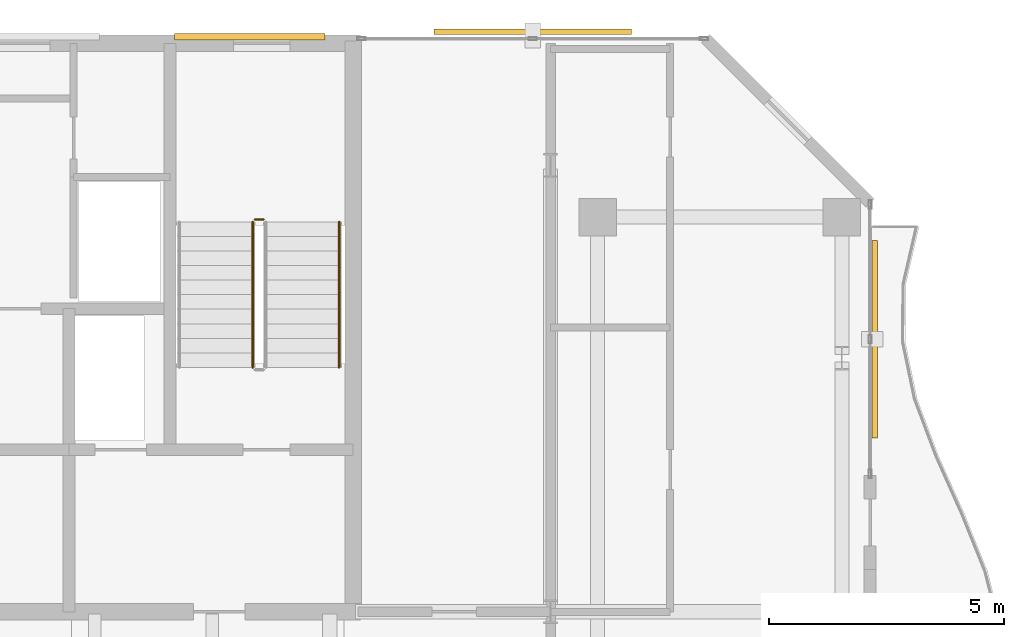
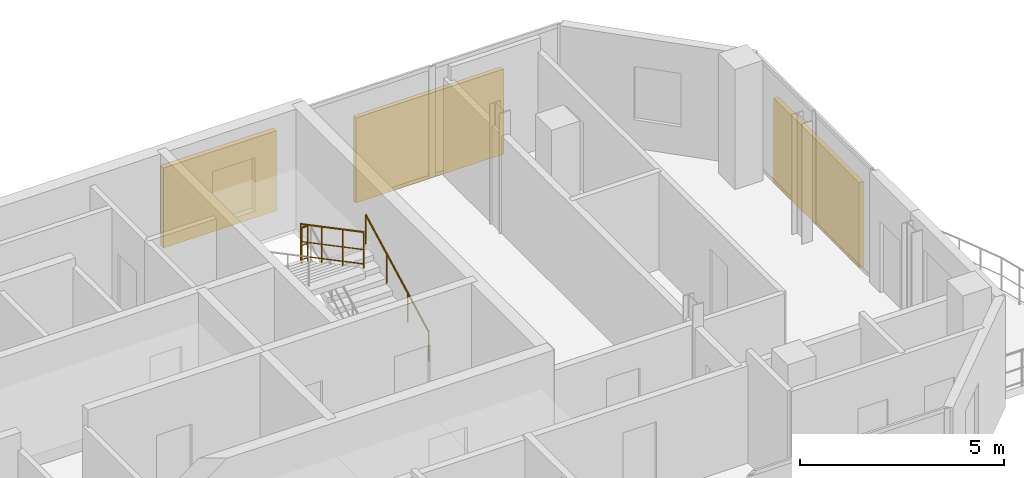
# One storey, part 23 of 23: 3 railings, 3 shading devices.
"""IFC4 building model written with IfcOpenShell, lengths in metres."""

from ifc_helpers import new_model, si_unit, direction, frame, origin, origin_2d, place, context, subcontext, project, spatial, rectangle, circle, extrude, material, type_object, element, save


model = new_model("IFC4")

# Units and contexts
model_context = context("Model", 3, precision=1e-05, world=origin(), true_north=direction((0.0, 1.0)))
body_context = subcontext(model_context, "Body", "Model", "MODEL_VIEW")
ifc_project = project(units=[si_unit("LENGTHUNIT", "METRE"), si_unit("AREAUNIT", "SQUARE_METRE"), si_unit("VOLUMEUNIT", "CUBIC_METRE"), si_unit("PLANEANGLEUNIT", "RADIAN"), si_unit("MASSUNIT", "GRAM", prefix="KILO")], contexts=[model_context])

# Site, building, storey
site_placement = place(None, origin())
site = spatial("IfcSite", under=ifc_project, at=site_placement, CompositionType="ELEMENT")
building_placement = place(site_placement, origin())
building = spatial("IfcBuilding", under=site, at=building_placement, Name="Catumbela Crestline Tower", CompositionType="ELEMENT")
storey_placement = place(building_placement, frame((0.0, 0.0, 190.2)))
storey = spatial("IfcBuildingStorey", under=building, at=storey_placement, Name="L49", CompositionType="ELEMENT", Elevation=190.2)

# Railings
ifc_material_1 = material(Name="Stainless steel EN 1.4401", Category="steel")
railing_type_1 = type_object("IfcRailingType", Name="RG-1100", PredefinedType="GUARDRAIL", material=ifc_material_1)
railing_1_placement = place(storey_placement, frame((38.09, 39.15, 1.8)))
element("IfcRailing", 1, at=railing_1_placement, inside=storey, type_object=railing_type_1, Name="L49 ST-02 stair guard 2", PredefinedType="GUARDRAIL", context=body_context, shape_type="SweptSolid", body=[
    extrude(circle(Radius=0.024, at=origin_2d()), frame((0.0, 0.0, 1.076), z_axis=(-1.0, 0.0, 0.0), x_axis=(0.0, -1.0, 0.0)), (0.0, 0.0, 1.0), 0.18),
    extrude(circle(Radius=0.0156, at=origin_2d()), frame((0.0, 0.0, 0.55), z_axis=(-1.0, 0.0, 0.0), x_axis=(0.0, -1.0, 0.0)), (0.0, 0.0, 1.0), 0.18),
    extrude(circle(Radius=0.0156, at=origin_2d()), frame((0.0, 0.0, 0.12), z_axis=(-1.0, 0.0, 0.0), x_axis=(0.0, -1.0, 0.0)), (0.0, 0.0, 1.0), 0.18),
    extrude(circle(Radius=0.021, at=origin_2d()), origin(), (0.0, 0.0, 1.0), 1.052),
    extrude(circle(Radius=0.021, at=origin_2d()), frame((-0.18, 0.0, 0.0)), (0.0, 0.0, 1.0), 1.052),
])
railing_2_placement = place(storey_placement, frame((37.86, 39.1, 1.9636)))
element("IfcRailing", 2, at=railing_2_placement, inside=storey, type_object=railing_type_1, Name="L49 ST-02 stair guard 3", PredefinedType="GUARDRAIL", context=body_context, shape_type="SweptSolid", body=[
    extrude(circle(Radius=0.024, at=origin_2d()), frame((0.0, 0.0, 1.076), z_axis=(0.0, -0.884350731049, 0.466823076222), x_axis=(1.0, 0.0, 0.0)), (0.0, 0.0, 1.0), 3.5054),
    extrude(circle(Radius=0.0156, at=origin_2d()), frame((0.0, 0.0, 0.55), z_axis=(0.0, -0.884350731049, 0.466823076222), x_axis=(1.0, 0.0, 0.0)), (0.0, 0.0, 1.0), 3.5054),
    extrude(circle(Radius=0.0156, at=origin_2d()), frame((0.0, 0.0, 0.12), z_axis=(0.0, -0.884350731049, 0.466823076222), x_axis=(1.0, 0.0, 0.0)), (0.0, 0.0, 1.0), 3.5054),
    extrude(circle(Radius=0.021, at=origin_2d()), origin(), (0.0, 0.0, 1.0), 1.052),
    extrude(circle(Radius=0.021, at=origin_2d()), frame((0.0, -1.0333, 0.5455)), (0.0, 0.0, 1.0), 1.052),
    extrude(circle(Radius=0.021, at=origin_2d()), frame((0.0, -2.0667, 1.0909)), (0.0, 0.0, 1.0), 1.052),
    extrude(circle(Radius=0.021, at=origin_2d()), frame((0.0, -3.1, 1.6364)), (0.0, 0.0, 1.0), 1.052),
])
railing_type_2 = type_object("IfcRailingType", Name="RH-0900", PredefinedType="HANDRAIL", material=ifc_material_1)
railing_3_placement = place(storey_placement, frame((39.7, 36.0, 0.1636)))
element("IfcRailing", 3, at=railing_3_placement, inside=storey, type_object=railing_type_2, Name="L49 ST-02 stair handrail 1", PredefinedType="HANDRAIL", context=body_context, shape_type="SweptSolid", body=[
    extrude(circle(Radius=0.024, at=origin_2d()), frame((0.0, 0.0, 0.876), z_axis=(0.0, 0.884350731049, 0.466823076222), x_axis=(-1.0, 0.0, 0.0)), (0.0, 0.0, 1.0), 3.5054),
    extrude(circle(Radius=0.021, at=origin_2d()), origin(), (0.0, 0.0, 1.0), 0.852),
    extrude(circle(Radius=0.021, at=origin_2d()), frame((0.0, 1.0333, 0.5455)), (0.0, 0.0, 1.0), 0.852),
    extrude(circle(Radius=0.021, at=origin_2d()), frame((0.0, 2.0667, 1.0909)), (0.0, 0.0, 1.0), 0.852),
    extrude(circle(Radius=0.021, at=origin_2d()), frame((0.0, 3.1, 1.6364)), (0.0, 0.0, 1.0), 0.852),
])

# Shading devices
ifc_material_2 = material(Name="Extruded terracotta ceramic", Category="masonry")
shading_device_type_1 = type_object("IfcShadingDeviceType", Name="ST-180", PredefinedType="USERDEFINED", material=ifc_material_2)
shading_device_1_placement = place(storey_placement, frame((51.099, 36.6, -0.1), z_axis=(0.0, 0.0, 1.0), x_axis=(0.0, 1.0, 0.0)))
element("IfcShadingDevice", 4, at=shading_device_1_placement, inside=storey, type_object=shading_device_type_1, Name="L49 Perforated Terracotta Solar Screen 582 (180 mm)", ObjectType="SCREEN", PredefinedType="USERDEFINED", context=body_context, shape_type="SweptSolid", body=[
    extrude(rectangle(XDim=4.2, YDim=0.12, at=origin_2d()), origin(), (0.0, 0.0, 1.0), 2.55),
])
shading_device_type_2 = type_object("IfcShadingDeviceType", Name="ST-260", PredefinedType="USERDEFINED", material=ifc_material_2)
shading_device_2_placement = place(storey_placement, frame((37.8, 43.04, 0.55), z_axis=(0.0, 0.0, 1.0), x_axis=(1.0, 0.0, 0.0)))
element("IfcShadingDevice", 5, at=shading_device_2_placement, inside=storey, type_object=shading_device_type_2, Name="L49 Rear Core Terracotta Brise-Soleil Screen 575", ObjectType="SCREEN", PredefinedType="USERDEFINED", context=body_context, shape_type="SweptSolid", body=[
    extrude(rectangle(XDim=3.2, YDim=0.14, at=origin_2d()), origin(), (0.0, 0.0, 1.0), 2.4),
])
shading_device_3_placement = place(storey_placement, frame((43.82, 43.143, -0.1), z_axis=(0.0, 0.0, 1.0), x_axis=(-1.0, 0.0, 0.0)))
element("IfcShadingDevice", 6, at=shading_device_3_placement, inside=storey, type_object=shading_device_type_2, Name="L49 Perforated Terracotta Solar Screen 583 (260 mm)", ObjectType="SCREEN", PredefinedType="USERDEFINED", context=body_context, shape_type="SweptSolid", body=[
    extrude(rectangle(XDim=4.2, YDim=0.12, at=origin_2d()), origin(), (0.0, 0.0, 1.0), 2.55),
])

save(model, "model.ifc")
